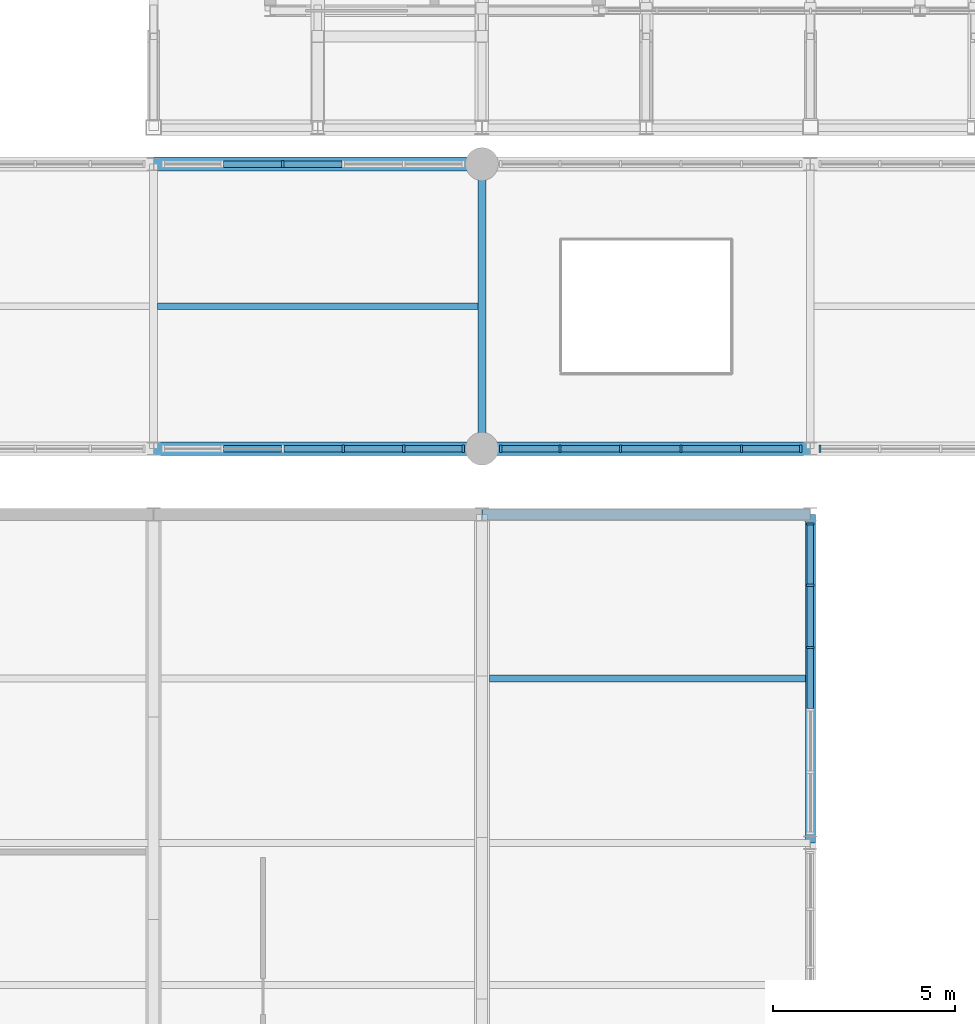
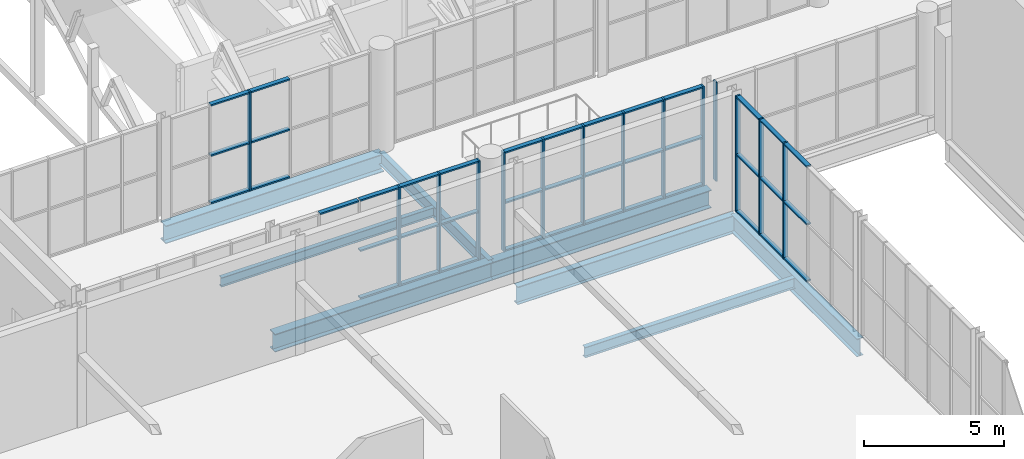
# One storey, part 32 of 134: 54 members, 8 beams, 5 elements without a shape of their own.
"""IFC4 building model written with IfcOpenShell, lengths in metres."""

from ifc_helpers import new_model, si_unit, direction, frame, origin, origin_2d, place, context, subcontext, project, spatial, rectangle, i_section, extrude, material, layer, layer_set, material_profile, profile_set, type_object, element, aggregate, save


model = new_model("IFC4")

# Units and contexts
model_context = context("Model", 3, precision=1e-05, world=origin(), true_north=direction((0.0, 1.0)))
body_context = subcontext(model_context, "Body", "Model", "MODEL_VIEW")
ifc_project = project(units=[si_unit("LENGTHUNIT", "METRE"), si_unit("AREAUNIT", "SQUARE_METRE"), si_unit("VOLUMEUNIT", "CUBIC_METRE"), si_unit("PLANEANGLEUNIT", "RADIAN"), si_unit("MASSUNIT", "GRAM", prefix="KILO")], contexts=[model_context])

# Site, building, storey
site_placement = place(None, origin())
site = spatial("IfcSite", under=ifc_project, at=site_placement, CompositionType="ELEMENT")
building_placement = place(site_placement, origin())
building = spatial("IfcBuilding", under=site, at=building_placement, Name="Cazmaro Siding Exhibition Halls", CompositionType="ELEMENT")
storey_placement = place(building_placement, frame((0.0, 0.0, 12.0)))
storey = spatial("IfcBuildingStorey", under=building, at=storey_placement, Name="L02", CompositionType="ELEMENT", Elevation=12.0)

# Beams
ifc_material_1 = material(Name="Steel ASTM A992 Grade 50", Category="steel")
ifc_material_profile_1 = material_profile(ifc_material_1, i_section(OverallWidth=0.2099609375, OverallDepth=0.535888671875, WebThickness=0.010986328125, FlangeThickness=0.01708984375, at=origin_2d()), Name="W21X68")
ifc_profile_set_1 = profile_set([ifc_material_profile_1], Name="Steel ASTM A992 Grade 50")
beam_type_1 = type_object("IfcBeamType", Name="B-02", PredefinedType="BEAM", material=ifc_profile_set_1)
beam_1_placement = place(storey_placement, frame((54.0, 55.199951171875, -0.488037109375), z_axis=(0.0, 1.0, 0.0), x_axis=(-1.0, 0.0, 0.0)))
element("IfcBeam", 1, at=beam_1_placement, inside=storey, type_object=beam_type_1, Name="Beam B-02 BM-1691", PredefinedType="BEAM", context=body_context, shape_type="SweptSolid", body=[
    extrude(i_section(OverallWidth=0.2099609375, OverallDepth=0.535888671875, WebThickness=0.010986328125, FlangeThickness=0.01708984375, at=origin_2d()), origin(), (0.0, 0.0, 1.0), 7.800048828125),
])
ifc_material_2 = material(Name="Steel ASTM A992 Grade 50", Category="steel")
ifc_material_profile_2 = material_profile(ifc_material_2, i_section(OverallWidth=0.26708984375, OverallDepth=0.779052734375, WebThickness=0.01708984375, FlangeThickness=0.02490234375, at=origin_2d()), Name="W30X148")
ifc_profile_set_2 = profile_set([ifc_material_profile_2], Name="Steel ASTM A992 Grade 50")
beam_type_2 = type_object("IfcBeamType", Name="B-05", PredefinedType="BEAM", material=ifc_profile_set_2)
for number, where, z_axis, x_axis, name in (
    (2, (63.0, 44.39990234375, -0.638916015625), (0.0, 1.0, 0.0), (-1.0, 0.0, 0.0), "Beam B-05 BM-1746"),
    (3, (63.0, 53.39990234375, -0.638916015625), (-1.0, 0.0, 0.0), (0.0, -1.0, 0.0), "Beam B-05 BM-1748"),
):
    element("IfcBeam", number, at=place(storey_placement, frame(where, z_axis=z_axis, x_axis=x_axis)), inside=storey, type_object=beam_type_2, Name=name, PredefinedType="BEAM", context=body_context, shape_type="SweptSolid", body=[
        extrude(i_section(OverallWidth=0.26708984375, OverallDepth=0.779052734375, WebThickness=0.01708984375, FlangeThickness=0.02490234375, at=origin_2d()), origin(), (0.0, 0.0, 1.0), 9.0),
    ])

# Curtain wall, members
ifc_material_3 = material(Name="Anodized Bronze Aluminum and Solar-Control Low-E Glazing", Category="aluminium")
ifc_layer = layer(ifc_material_3, 0.199951171875)
ifc_layer_set = layer_set([ifc_layer], Name="Anodized Bronze Aluminum and Solar-Control Low-E Glazing")
curtain_wall_type = type_object("IfcCurtainWallType", Name="CWS-02", PredefinedType="USERDEFINED", material=ifc_layer_set)
curtain_wall_1_placement = place(storey_placement, origin())
curtain_wall_1 = element("IfcCurtainWall", 4, at=curtain_wall_1_placement, inside=storey, type_object=curtain_wall_type, Name="Glazed Curtain Wall CWS-02 CW-147", ObjectType="GLAZED CURTAIN WALL", PredefinedType="USERDEFINED")
ifc_material_4 = material(Name="Anodized Bronze Extruded Aluminum", Category="aluminium")
ifc_material_profile_3 = material_profile(ifc_material_4, rectangle(XDim=0.199951171875, YDim=0.06494140625, at=origin_2d()), Name="CWM-02")
ifc_profile_set_3 = profile_set([ifc_material_profile_3], Name="Anodized Bronze Extruded Aluminum")
member_type_1 = type_object("IfcMemberType", Name="CWM-02", PredefinedType="MULLION", material=ifc_profile_set_3)
member_1_placement = place(storey_placement, frame((50.2021484375, 55.199951171875, 0.0), z_axis=(0.0, 0.0, 1.0), x_axis=(0.0, 1.0, 0.0)))
member_1 = element("IfcMember", 5, at=member_1_placement, type_object=member_type_1, Name="CWS-02 mullion 4", PredefinedType="MULLION", context=body_context, shape_type="SweptSolid", body=[
    extrude(rectangle(XDim=0.199951171875, YDim=0.06494140625, at=origin_2d()), origin(), (0.0, 0.0, 1.0), 4.324951171875),
])
member_2_placement = place(storey_placement, frame((51.859619140625, 55.199951171875, 0.0), z_axis=(0.0, 0.0, 1.0), x_axis=(0.0, 1.0, 0.0)))
member_2 = element("IfcMember", 6, at=member_2_placement, type_object=member_type_1, Name="CWS-02 mullion 5", PredefinedType="MULLION", context=body_context, shape_type="SweptSolid", body=[
    extrude(rectangle(XDim=0.199951171875, YDim=0.06494140625, at=origin_2d()), origin(), (0.0, 0.0, 1.0), 4.324951171875),
])
member_3_placement = place(storey_placement, frame((53.484619140625, 55.199951171875, 0.0), z_axis=(0.0, 0.0, 1.0), x_axis=(0.0, 1.0, 0.0)))
member_3 = element("IfcMember", 7, at=member_3_placement, type_object=member_type_1, Name="CWS-02 mullion 6", PredefinedType="MULLION", context=body_context, shape_type="SweptSolid", body=[
    extrude(rectangle(XDim=0.199951171875, YDim=0.06494140625, at=origin_2d()), origin(), (0.0, 0.0, 1.0), 4.324951171875),
])

# Curtain wall, member
curtain_wall_2_placement = place(storey_placement, origin())
curtain_wall_2 = element("IfcCurtainWall", 8, at=curtain_wall_2_placement, inside=storey, type_object=curtain_wall_type, Name="Glazed Curtain Wall CWS-02 CW-149", ObjectType="GLAZED CURTAIN WALL", PredefinedType="USERDEFINED")
member_4_placement = place(storey_placement, frame((48.544921875, 63.0, 0.0), z_axis=(0.0, 0.0, 1.0), x_axis=(0.0, -1.0, 0.0)))
member_4 = element("IfcMember", 9, at=member_4_placement, type_object=member_type_1, Name="CWS-02 mullion 4", PredefinedType="MULLION", context=body_context, shape_type="SweptSolid", body=[
    extrude(rectangle(XDim=0.199951171875, YDim=0.06494140625, at=origin_2d()), origin(), (0.0, 0.0, 1.0), 4.324951171875),
])

# Curtain wall, members
curtain_wall_3_placement = place(storey_placement, origin())
curtain_wall_3 = element("IfcCurtainWall", 10, at=curtain_wall_3_placement, inside=storey, type_object=curtain_wall_type, Name="Glazed Curtain Wall CWS-02 CW-152", ObjectType="GLAZED CURTAIN WALL", PredefinedType="USERDEFINED")
member_5_placement = place(storey_placement, frame((54.515380859375, 55.199951171875, 0.0), z_axis=(0.0, 0.0, 1.0), x_axis=(0.0, 1.0, 0.0)))
member_5 = element("IfcMember", 11, at=member_5_placement, type_object=member_type_1, Name="CWS-02 mullion 1", PredefinedType="MULLION", context=body_context, shape_type="SweptSolid", body=[
    extrude(rectangle(XDim=0.199951171875, YDim=0.06494140625, at=origin_2d()), origin(), (0.0, 0.0, 1.0), 4.324951171875),
])
member_6_placement = place(storey_placement, frame((56.140380859375, 55.199951171875, 0.0), z_axis=(0.0, 0.0, 1.0), x_axis=(0.0, 1.0, 0.0)))
member_6 = element("IfcMember", 12, at=member_6_placement, type_object=member_type_1, Name="CWS-02 mullion 2", PredefinedType="MULLION", context=body_context, shape_type="SweptSolid", body=[
    extrude(rectangle(XDim=0.199951171875, YDim=0.06494140625, at=origin_2d()), origin(), (0.0, 0.0, 1.0), 4.324951171875),
])
member_7_placement = place(storey_placement, frame((57.7978515625, 55.199951171875, 0.0), z_axis=(0.0, 0.0, 1.0), x_axis=(0.0, 1.0, 0.0)))
member_7 = element("IfcMember", 13, at=member_7_placement, type_object=member_type_1, Name="CWS-02 mullion 3", PredefinedType="MULLION", context=body_context, shape_type="SweptSolid", body=[
    extrude(rectangle(XDim=0.199951171875, YDim=0.06494140625, at=origin_2d()), origin(), (0.0, 0.0, 1.0), 4.324951171875),
])
member_8_placement = place(storey_placement, frame((59.455078125, 55.199951171875, 0.0), z_axis=(0.0, 0.0, 1.0), x_axis=(0.0, 1.0, 0.0)))
member_8 = element("IfcMember", 14, at=member_8_placement, type_object=member_type_1, Name="CWS-02 mullion 4", PredefinedType="MULLION", context=body_context, shape_type="SweptSolid", body=[
    extrude(rectangle(XDim=0.199951171875, YDim=0.06494140625, at=origin_2d()), origin(), (0.0, 0.0, 1.0), 4.324951171875),
])
member_9_placement = place(storey_placement, frame((61.112548828125, 55.199951171875, 0.0), z_axis=(0.0, 0.0, 1.0), x_axis=(0.0, 1.0, 0.0)))
member_9 = element("IfcMember", 15, at=member_9_placement, type_object=member_type_1, Name="CWS-02 mullion 5", PredefinedType="MULLION", context=body_context, shape_type="SweptSolid", body=[
    extrude(rectangle(XDim=0.199951171875, YDim=0.06494140625, at=origin_2d()), origin(), (0.0, 0.0, 1.0), 4.324951171875),
])
member_10_placement = place(storey_placement, frame((62.737548828125, 55.199951171875, 0.0), z_axis=(0.0, 0.0, 1.0), x_axis=(0.0, 1.0, 0.0)))
member_10 = element("IfcMember", 16, at=member_10_placement, type_object=member_type_1, Name="CWS-02 mullion 6", PredefinedType="MULLION", context=body_context, shape_type="SweptSolid", body=[
    extrude(rectangle(XDim=0.199951171875, YDim=0.06494140625, at=origin_2d()), origin(), (0.0, 0.0, 1.0), 4.324951171875),
])

# Curtain wall, member
curtain_wall_4_placement = place(storey_placement, origin())
curtain_wall_4 = element("IfcCurtainWall", 17, at=curtain_wall_4_placement, inside=storey, type_object=curtain_wall_type, Name="Glazed Curtain Wall CWS-02 CW-158", ObjectType="GLAZED CURTAIN WALL", PredefinedType="USERDEFINED")
member_11_placement = place(storey_placement, frame((63.262451171875, 55.199951171875, 0.0), z_axis=(0.0, 0.0, 1.0), x_axis=(0.0, 1.0, 0.0)))
member_11 = element("IfcMember", 18, at=member_11_placement, type_object=member_type_1, Name="CWS-02 mullion 1", PredefinedType="MULLION", context=body_context, shape_type="SweptSolid", body=[
    extrude(rectangle(XDim=0.199951171875, YDim=0.06494140625, at=origin_2d()), origin(), (0.0, 0.0, 1.0), 4.324951171875),
])
aggregate(curtain_wall_4, [member_11])

# Curtain wall, members
curtain_wall_5_placement = place(storey_placement, origin())
curtain_wall_5 = element("IfcCurtainWall", 19, at=curtain_wall_5_placement, inside=storey, type_object=curtain_wall_type, Name="Glazed Curtain Wall CWS-02 CW-222", ObjectType="GLAZED CURTAIN WALL", PredefinedType="USERDEFINED")
member_12_placement = place(storey_placement, frame((63.0, 49.75390625, 0.0), z_axis=(0.0, 0.0, 1.0), x_axis=(-1.0, 0.0, 0.0)))
member_12 = element("IfcMember", 20, at=member_12_placement, type_object=member_type_1, Name="CWS-02 mullion 4", PredefinedType="MULLION", context=body_context, shape_type="SweptSolid", body=[
    extrude(rectangle(XDim=0.199951171875, YDim=0.06494140625, at=origin_2d()), origin(), (0.0, 0.0, 1.0), 5.050048828125),
])
member_13_placement = place(storey_placement, frame((63.0, 51.46142578125, 0.0), z_axis=(0.0, 0.0, 1.0), x_axis=(-1.0, 0.0, 0.0)))
member_13 = element("IfcMember", 21, at=member_13_placement, type_object=member_type_1, Name="CWS-02 mullion 5", PredefinedType="MULLION", context=body_context, shape_type="SweptSolid", body=[
    extrude(rectangle(XDim=0.199951171875, YDim=0.06494140625, at=origin_2d()), origin(), (0.0, 0.0, 1.0), 5.050048828125),
])
member_14_placement = place(storey_placement, frame((63.0, 53.136474609375, 0.0), z_axis=(0.0, 0.0, 1.0), x_axis=(-1.0, 0.0, 0.0)))
member_14 = element("IfcMember", 22, at=member_14_placement, type_object=member_type_1, Name="CWS-02 mullion 6", PredefinedType="MULLION", context=body_context, shape_type="SweptSolid", body=[
    extrude(rectangle(XDim=0.199951171875, YDim=0.06494140625, at=origin_2d()), origin(), (0.0, 0.0, 1.0), 5.050048828125),
])

# Member
ifc_material_5 = material(Name="Anodized Bronze Extruded Aluminum", Category="aluminium")
ifc_material_profile_4 = material_profile(ifc_material_5, rectangle(XDim=0.179931640625, YDim=0.06494140625, at=origin_2d()), Name="CWT-02")
ifc_profile_set_4 = profile_set([ifc_material_profile_4], Name="Anodized Bronze Extruded Aluminum")
member_type_2 = type_object("IfcMemberType", Name="CWT-02", PredefinedType="MULLION", material=ifc_profile_set_4)
member_15_placement = place(storey_placement, frame((46.919921875, 55.199951171875, 4.29248046875), z_axis=(1.0, 0.0, 0.0), x_axis=(0.0, 1.0, 0.0)))
member_15 = element("IfcMember", 23, at=member_15_placement, type_object=member_type_2, Name="CWS-02 transom 2.3", ObjectType="TRANSOM", PredefinedType="USERDEFINED", context=body_context, shape_type="SweptSolid", body=[
    extrude(rectangle(XDim=0.179931640625, YDim=0.06494140625, at=origin_2d()), origin(), (0.0, 0.0, 1.0), 1.59228515625),
])

member_16_placement = place(storey_placement, frame((48.577392578125, 55.199951171875, 0.032470703125), z_axis=(1.0, 0.0, 0.0), x_axis=(0.0, 1.0, 0.0)))
member_16 = element("IfcMember", 24, at=member_16_placement, type_object=member_type_2, Name="CWS-02 transom 3.1", ObjectType="TRANSOM", PredefinedType="USERDEFINED", context=body_context, shape_type="SweptSolid", body=[
    extrude(rectangle(XDim=0.179931640625, YDim=0.06494140625, at=origin_2d()), origin(), (0.0, 0.0, 1.0), 1.59228515625),
])

member_17_placement = place(storey_placement, frame((48.577392578125, 55.199951171875, 2.10009765625), z_axis=(1.0, 0.0, 0.0), x_axis=(0.0, 1.0, 0.0)))
member_17 = element("IfcMember", 25, at=member_17_placement, type_object=member_type_2, Name="CWS-02 transom 3.2", ObjectType="TRANSOM", PredefinedType="USERDEFINED", context=body_context, shape_type="SweptSolid", body=[
    extrude(rectangle(XDim=0.179931640625, YDim=0.06494140625, at=origin_2d()), origin(), (0.0, 0.0, 1.0), 1.59228515625),
])

member_18_placement = place(storey_placement, frame((48.577392578125, 55.199951171875, 4.29248046875), z_axis=(1.0, 0.0, 0.0), x_axis=(0.0, 1.0, 0.0)))
member_18 = element("IfcMember", 26, at=member_18_placement, type_object=member_type_2, Name="CWS-02 transom 3.3", ObjectType="TRANSOM", PredefinedType="USERDEFINED", context=body_context, shape_type="SweptSolid", body=[
    extrude(rectangle(XDim=0.179931640625, YDim=0.06494140625, at=origin_2d()), origin(), (0.0, 0.0, 1.0), 1.59228515625),
])

member_19_placement = place(storey_placement, frame((50.234619140625, 55.199951171875, 0.032470703125), z_axis=(1.0, 0.0, 0.0), x_axis=(0.0, 1.0, 0.0)))
member_19 = element("IfcMember", 27, at=member_19_placement, type_object=member_type_2, Name="CWS-02 transom 4.1", ObjectType="TRANSOM", PredefinedType="USERDEFINED", context=body_context, shape_type="SweptSolid", body=[
    extrude(rectangle(XDim=0.179931640625, YDim=0.06494140625, at=origin_2d()), origin(), (0.0, 0.0, 1.0), 1.592529296875),
])

member_20_placement = place(storey_placement, frame((50.234619140625, 55.199951171875, 2.10009765625), z_axis=(1.0, 0.0, 0.0), x_axis=(0.0, 1.0, 0.0)))
member_20 = element("IfcMember", 28, at=member_20_placement, type_object=member_type_2, Name="CWS-02 transom 4.2", ObjectType="TRANSOM", PredefinedType="USERDEFINED", context=body_context, shape_type="SweptSolid", body=[
    extrude(rectangle(XDim=0.179931640625, YDim=0.06494140625, at=origin_2d()), origin(), (0.0, 0.0, 1.0), 1.592529296875),
])

member_21_placement = place(storey_placement, frame((50.234619140625, 55.199951171875, 4.29248046875), z_axis=(1.0, 0.0, 0.0), x_axis=(0.0, 1.0, 0.0)))
member_21 = element("IfcMember", 29, at=member_21_placement, type_object=member_type_2, Name="CWS-02 transom 4.3", ObjectType="TRANSOM", PredefinedType="USERDEFINED", context=body_context, shape_type="SweptSolid", body=[
    extrude(rectangle(XDim=0.179931640625, YDim=0.06494140625, at=origin_2d()), origin(), (0.0, 0.0, 1.0), 1.592529296875),
])

member_22_placement = place(storey_placement, frame((51.89208984375, 55.199951171875, 0.032470703125), z_axis=(1.0, 0.0, 0.0), x_axis=(0.0, 1.0, 0.0)))
member_22 = element("IfcMember", 30, at=member_22_placement, type_object=member_type_2, Name="CWS-02 transom 5.1", ObjectType="TRANSOM", PredefinedType="USERDEFINED", context=body_context, shape_type="SweptSolid", body=[
    extrude(rectangle(XDim=0.179931640625, YDim=0.06494140625, at=origin_2d()), origin(), (0.0, 0.0, 1.0), 1.559814453125),
])

member_23_placement = place(storey_placement, frame((51.89208984375, 55.199951171875, 2.10009765625), z_axis=(1.0, 0.0, 0.0), x_axis=(0.0, 1.0, 0.0)))
member_23 = element("IfcMember", 31, at=member_23_placement, type_object=member_type_2, Name="CWS-02 transom 5.2", ObjectType="TRANSOM", PredefinedType="USERDEFINED", context=body_context, shape_type="SweptSolid", body=[
    extrude(rectangle(XDim=0.179931640625, YDim=0.06494140625, at=origin_2d()), origin(), (0.0, 0.0, 1.0), 1.559814453125),
])

member_24_placement = place(storey_placement, frame((51.89208984375, 55.199951171875, 4.29248046875), z_axis=(1.0, 0.0, 0.0), x_axis=(0.0, 1.0, 0.0)))
member_24 = element("IfcMember", 32, at=member_24_placement, type_object=member_type_2, Name="CWS-02 transom 5.3", ObjectType="TRANSOM", PredefinedType="USERDEFINED", context=body_context, shape_type="SweptSolid", body=[
    extrude(rectangle(XDim=0.179931640625, YDim=0.06494140625, at=origin_2d()), origin(), (0.0, 0.0, 1.0), 1.559814453125),
])

aggregate(curtain_wall_1, [member_1, member_2, member_3, member_15, member_16, member_17, member_18, member_19, member_20, member_21, member_22, member_23, member_24])

member_25_placement = place(storey_placement, frame((50.169677734375, 63.0, 0.032470703125), z_axis=(-1.0, 0.0, 0.0), x_axis=(0.0, -1.0, 0.0)))
member_25 = element("IfcMember", 33, at=member_25_placement, type_object=member_type_2, Name="CWS-02 transom 3.1", ObjectType="TRANSOM", PredefinedType="USERDEFINED", context=body_context, shape_type="SweptSolid", body=[
    extrude(rectangle(XDim=0.179931640625, YDim=0.06494140625, at=origin_2d()), origin(), (0.0, 0.0, 1.0), 1.59228515625),
])

member_26_placement = place(storey_placement, frame((50.169677734375, 63.0, 2.10009765625), z_axis=(-1.0, 0.0, 0.0), x_axis=(0.0, -1.0, 0.0)))
member_26 = element("IfcMember", 34, at=member_26_placement, type_object=member_type_2, Name="CWS-02 transom 3.2", ObjectType="TRANSOM", PredefinedType="USERDEFINED", context=body_context, shape_type="SweptSolid", body=[
    extrude(rectangle(XDim=0.179931640625, YDim=0.06494140625, at=origin_2d()), origin(), (0.0, 0.0, 1.0), 1.59228515625),
])

member_27_placement = place(storey_placement, frame((50.169677734375, 63.0, 4.29248046875), z_axis=(-1.0, 0.0, 0.0), x_axis=(0.0, -1.0, 0.0)))
member_27 = element("IfcMember", 35, at=member_27_placement, type_object=member_type_2, Name="CWS-02 transom 3.3", ObjectType="TRANSOM", PredefinedType="USERDEFINED", context=body_context, shape_type="SweptSolid", body=[
    extrude(rectangle(XDim=0.179931640625, YDim=0.06494140625, at=origin_2d()), origin(), (0.0, 0.0, 1.0), 1.59228515625),
])

member_28_placement = place(storey_placement, frame((48.51220703125, 63.0, 0.032470703125), z_axis=(-1.0, 0.0, 0.0), x_axis=(0.0, -1.0, 0.0)))
member_28 = element("IfcMember", 36, at=member_28_placement, type_object=member_type_2, Name="CWS-02 transom 4.1", ObjectType="TRANSOM", PredefinedType="USERDEFINED", context=body_context, shape_type="SweptSolid", body=[
    extrude(rectangle(XDim=0.179931640625, YDim=0.06494140625, at=origin_2d()), origin(), (0.0, 0.0, 1.0), 1.59228515625),
])

member_29_placement = place(storey_placement, frame((48.51220703125, 63.0, 2.10009765625), z_axis=(-1.0, 0.0, 0.0), x_axis=(0.0, -1.0, 0.0)))
member_29 = element("IfcMember", 37, at=member_29_placement, type_object=member_type_2, Name="CWS-02 transom 4.2", ObjectType="TRANSOM", PredefinedType="USERDEFINED", context=body_context, shape_type="SweptSolid", body=[
    extrude(rectangle(XDim=0.179931640625, YDim=0.06494140625, at=origin_2d()), origin(), (0.0, 0.0, 1.0), 1.59228515625),
])

member_30_placement = place(storey_placement, frame((48.51220703125, 63.0, 4.29248046875), z_axis=(-1.0, 0.0, 0.0), x_axis=(0.0, -1.0, 0.0)))
member_30 = element("IfcMember", 38, at=member_30_placement, type_object=member_type_2, Name="CWS-02 transom 4.3", ObjectType="TRANSOM", PredefinedType="USERDEFINED", context=body_context, shape_type="SweptSolid", body=[
    extrude(rectangle(XDim=0.179931640625, YDim=0.06494140625, at=origin_2d()), origin(), (0.0, 0.0, 1.0), 1.59228515625),
])

aggregate(curtain_wall_2, [member_4, member_25, member_26, member_27, member_28, member_29, member_30])

member_31_placement = place(storey_placement, frame((54.548095703125, 55.199951171875, 0.032470703125), z_axis=(1.0, 0.0, 0.0), x_axis=(0.0, 1.0, 0.0)))
member_31 = element("IfcMember", 39, at=member_31_placement, type_object=member_type_2, Name="CWS-02 transom 1.1", ObjectType="TRANSOM", PredefinedType="USERDEFINED", context=body_context, shape_type="SweptSolid", body=[
    extrude(rectangle(XDim=0.179931640625, YDim=0.06494140625, at=origin_2d()), origin(), (0.0, 0.0, 1.0), 1.559814453125),
])

member_32_placement = place(storey_placement, frame((54.548095703125, 55.199951171875, 2.10009765625), z_axis=(1.0, 0.0, 0.0), x_axis=(0.0, 1.0, 0.0)))
member_32 = element("IfcMember", 40, at=member_32_placement, type_object=member_type_2, Name="CWS-02 transom 1.2", ObjectType="TRANSOM", PredefinedType="USERDEFINED", context=body_context, shape_type="SweptSolid", body=[
    extrude(rectangle(XDim=0.179931640625, YDim=0.06494140625, at=origin_2d()), origin(), (0.0, 0.0, 1.0), 1.559814453125),
])

member_33_placement = place(storey_placement, frame((54.548095703125, 55.199951171875, 4.29248046875), z_axis=(1.0, 0.0, 0.0), x_axis=(0.0, 1.0, 0.0)))
member_33 = element("IfcMember", 41, at=member_33_placement, type_object=member_type_2, Name="CWS-02 transom 1.3", ObjectType="TRANSOM", PredefinedType="USERDEFINED", context=body_context, shape_type="SweptSolid", body=[
    extrude(rectangle(XDim=0.179931640625, YDim=0.06494140625, at=origin_2d()), origin(), (0.0, 0.0, 1.0), 1.559814453125),
])

member_34_placement = place(storey_placement, frame((56.1728515625, 55.199951171875, 0.032470703125), z_axis=(1.0, 0.0, 0.0), x_axis=(0.0, 1.0, 0.0)))
member_34 = element("IfcMember", 42, at=member_34_placement, type_object=member_type_2, Name="CWS-02 transom 2.1", ObjectType="TRANSOM", PredefinedType="USERDEFINED", context=body_context, shape_type="SweptSolid", body=[
    extrude(rectangle(XDim=0.179931640625, YDim=0.06494140625, at=origin_2d()), origin(), (0.0, 0.0, 1.0), 1.592529296875),
])

member_35_placement = place(storey_placement, frame((56.1728515625, 55.199951171875, 2.10009765625), z_axis=(1.0, 0.0, 0.0), x_axis=(0.0, 1.0, 0.0)))
member_35 = element("IfcMember", 43, at=member_35_placement, type_object=member_type_2, Name="CWS-02 transom 2.2", ObjectType="TRANSOM", PredefinedType="USERDEFINED", context=body_context, shape_type="SweptSolid", body=[
    extrude(rectangle(XDim=0.179931640625, YDim=0.06494140625, at=origin_2d()), origin(), (0.0, 0.0, 1.0), 1.592529296875),
])

member_36_placement = place(storey_placement, frame((56.1728515625, 55.199951171875, 4.29248046875), z_axis=(1.0, 0.0, 0.0), x_axis=(0.0, 1.0, 0.0)))
member_36 = element("IfcMember", 44, at=member_36_placement, type_object=member_type_2, Name="CWS-02 transom 2.3", ObjectType="TRANSOM", PredefinedType="USERDEFINED", context=body_context, shape_type="SweptSolid", body=[
    extrude(rectangle(XDim=0.179931640625, YDim=0.06494140625, at=origin_2d()), origin(), (0.0, 0.0, 1.0), 1.592529296875),
])

member_37_placement = place(storey_placement, frame((57.830322265625, 55.199951171875, 0.032470703125), z_axis=(1.0, 0.0, 0.0), x_axis=(0.0, 1.0, 0.0)))
member_37 = element("IfcMember", 45, at=member_37_placement, type_object=member_type_2, Name="CWS-02 transom 3.1", ObjectType="TRANSOM", PredefinedType="USERDEFINED", context=body_context, shape_type="SweptSolid", body=[
    extrude(rectangle(XDim=0.179931640625, YDim=0.06494140625, at=origin_2d()), origin(), (0.0, 0.0, 1.0), 1.59228515625),
])

member_38_placement = place(storey_placement, frame((57.830322265625, 55.199951171875, 2.10009765625), z_axis=(1.0, 0.0, 0.0), x_axis=(0.0, 1.0, 0.0)))
member_38 = element("IfcMember", 46, at=member_38_placement, type_object=member_type_2, Name="CWS-02 transom 3.2", ObjectType="TRANSOM", PredefinedType="USERDEFINED", context=body_context, shape_type="SweptSolid", body=[
    extrude(rectangle(XDim=0.179931640625, YDim=0.06494140625, at=origin_2d()), origin(), (0.0, 0.0, 1.0), 1.59228515625),
])

member_39_placement = place(storey_placement, frame((57.830322265625, 55.199951171875, 4.29248046875), z_axis=(1.0, 0.0, 0.0), x_axis=(0.0, 1.0, 0.0)))
member_39 = element("IfcMember", 47, at=member_39_placement, type_object=member_type_2, Name="CWS-02 transom 3.3", ObjectType="TRANSOM", PredefinedType="USERDEFINED", context=body_context, shape_type="SweptSolid", body=[
    extrude(rectangle(XDim=0.179931640625, YDim=0.06494140625, at=origin_2d()), origin(), (0.0, 0.0, 1.0), 1.59228515625),
])

member_40_placement = place(storey_placement, frame((59.48779296875, 55.199951171875, 0.032470703125), z_axis=(1.0, 0.0, 0.0), x_axis=(0.0, 1.0, 0.0)))
member_40 = element("IfcMember", 48, at=member_40_placement, type_object=member_type_2, Name="CWS-02 transom 4.1", ObjectType="TRANSOM", PredefinedType="USERDEFINED", context=body_context, shape_type="SweptSolid", body=[
    extrude(rectangle(XDim=0.179931640625, YDim=0.06494140625, at=origin_2d()), origin(), (0.0, 0.0, 1.0), 1.59228515625),
])

member_41_placement = place(storey_placement, frame((59.48779296875, 55.199951171875, 2.10009765625), z_axis=(1.0, 0.0, 0.0), x_axis=(0.0, 1.0, 0.0)))
member_41 = element("IfcMember", 49, at=member_41_placement, type_object=member_type_2, Name="CWS-02 transom 4.2", ObjectType="TRANSOM", PredefinedType="USERDEFINED", context=body_context, shape_type="SweptSolid", body=[
    extrude(rectangle(XDim=0.179931640625, YDim=0.06494140625, at=origin_2d()), origin(), (0.0, 0.0, 1.0), 1.59228515625),
])

member_42_placement = place(storey_placement, frame((59.48779296875, 55.199951171875, 4.29248046875), z_axis=(1.0, 0.0, 0.0), x_axis=(0.0, 1.0, 0.0)))
member_42 = element("IfcMember", 50, at=member_42_placement, type_object=member_type_2, Name="CWS-02 transom 4.3", ObjectType="TRANSOM", PredefinedType="USERDEFINED", context=body_context, shape_type="SweptSolid", body=[
    extrude(rectangle(XDim=0.179931640625, YDim=0.06494140625, at=origin_2d()), origin(), (0.0, 0.0, 1.0), 1.59228515625),
])

member_43_placement = place(storey_placement, frame((61.14501953125, 55.199951171875, 0.032470703125), z_axis=(1.0, 0.0, 0.0), x_axis=(0.0, 1.0, 0.0)))
member_43 = element("IfcMember", 51, at=member_43_placement, type_object=member_type_2, Name="CWS-02 transom 5.1", ObjectType="TRANSOM", PredefinedType="USERDEFINED", context=body_context, shape_type="SweptSolid", body=[
    extrude(rectangle(XDim=0.179931640625, YDim=0.06494140625, at=origin_2d()), origin(), (0.0, 0.0, 1.0), 1.56005859375),
])

member_44_placement = place(storey_placement, frame((61.14501953125, 55.199951171875, 2.10009765625), z_axis=(1.0, 0.0, 0.0), x_axis=(0.0, 1.0, 0.0)))
member_44 = element("IfcMember", 52, at=member_44_placement, type_object=member_type_2, Name="CWS-02 transom 5.2", ObjectType="TRANSOM", PredefinedType="USERDEFINED", context=body_context, shape_type="SweptSolid", body=[
    extrude(rectangle(XDim=0.179931640625, YDim=0.06494140625, at=origin_2d()), origin(), (0.0, 0.0, 1.0), 1.56005859375),
])

member_45_placement = place(storey_placement, frame((61.14501953125, 55.199951171875, 4.29248046875), z_axis=(1.0, 0.0, 0.0), x_axis=(0.0, 1.0, 0.0)))
member_45 = element("IfcMember", 53, at=member_45_placement, type_object=member_type_2, Name="CWS-02 transom 5.3", ObjectType="TRANSOM", PredefinedType="USERDEFINED", context=body_context, shape_type="SweptSolid", body=[
    extrude(rectangle(XDim=0.179931640625, YDim=0.06494140625, at=origin_2d()), origin(), (0.0, 0.0, 1.0), 1.56005859375),
])

aggregate(curtain_wall_3, [member_5, member_6, member_7, member_8, member_9, member_10, member_31, member_32, member_33, member_34, member_35, member_36, member_37, member_38, member_39, member_40, member_41, member_42, member_43, member_44, member_45])

member_46_placement = place(storey_placement, frame((63.0, 48.07861328125, 0.032470703125), z_axis=(0.0, 1.0, 0.0), x_axis=(-1.0, 0.0, 0.0)))
member_46 = element("IfcMember", 54, at=member_46_placement, type_object=member_type_2, Name="CWS-02 transom 3.1", ObjectType="TRANSOM", PredefinedType="USERDEFINED", context=body_context, shape_type="SweptSolid", body=[
    extrude(rectangle(XDim=0.179931640625, YDim=0.06494140625, at=origin_2d()), origin(), (0.0, 0.0, 1.0), 1.642578125),
])

member_47_placement = place(storey_placement, frame((63.0, 48.07861328125, 2.5), z_axis=(0.0, 1.0, 0.0), x_axis=(-1.0, 0.0, 0.0)))
member_47 = element("IfcMember", 55, at=member_47_placement, type_object=member_type_2, Name="CWS-02 transom 3.2", ObjectType="TRANSOM", PredefinedType="USERDEFINED", context=body_context, shape_type="SweptSolid", body=[
    extrude(rectangle(XDim=0.179931640625, YDim=0.06494140625, at=origin_2d()), origin(), (0.0, 0.0, 1.0), 1.642578125),
])

member_48_placement = place(storey_placement, frame((63.0, 48.07861328125, 5.017578125), z_axis=(0.0, 1.0, 0.0), x_axis=(-1.0, 0.0, 0.0)))
member_48 = element("IfcMember", 56, at=member_48_placement, type_object=member_type_2, Name="CWS-02 transom 3.3", ObjectType="TRANSOM", PredefinedType="USERDEFINED", context=body_context, shape_type="SweptSolid", body=[
    extrude(rectangle(XDim=0.179931640625, YDim=0.06494140625, at=origin_2d()), origin(), (0.0, 0.0, 1.0), 1.642578125),
])

member_49_placement = place(storey_placement, frame((63.0, 49.786376953125, 0.032470703125), z_axis=(0.0, 1.0, 0.0), x_axis=(-1.0, 0.0, 0.0)))
member_49 = element("IfcMember", 57, at=member_49_placement, type_object=member_type_2, Name="CWS-02 transom 4.1", ObjectType="TRANSOM", PredefinedType="USERDEFINED", context=body_context, shape_type="SweptSolid", body=[
    extrude(rectangle(XDim=0.179931640625, YDim=0.06494140625, at=origin_2d()), origin(), (0.0, 0.0, 1.0), 1.642578125),
])

member_50_placement = place(storey_placement, frame((63.0, 49.786376953125, 2.5), z_axis=(0.0, 1.0, 0.0), x_axis=(-1.0, 0.0, 0.0)))
member_50 = element("IfcMember", 58, at=member_50_placement, type_object=member_type_2, Name="CWS-02 transom 4.2", ObjectType="TRANSOM", PredefinedType="USERDEFINED", context=body_context, shape_type="SweptSolid", body=[
    extrude(rectangle(XDim=0.179931640625, YDim=0.06494140625, at=origin_2d()), origin(), (0.0, 0.0, 1.0), 1.642578125),
])

member_51_placement = place(storey_placement, frame((63.0, 49.786376953125, 5.017578125), z_axis=(0.0, 1.0, 0.0), x_axis=(-1.0, 0.0, 0.0)))
member_51 = element("IfcMember", 59, at=member_51_placement, type_object=member_type_2, Name="CWS-02 transom 4.3", ObjectType="TRANSOM", PredefinedType="USERDEFINED", context=body_context, shape_type="SweptSolid", body=[
    extrude(rectangle(XDim=0.179931640625, YDim=0.06494140625, at=origin_2d()), origin(), (0.0, 0.0, 1.0), 1.642578125),
])

member_52_placement = place(storey_placement, frame((63.0, 51.493896484375, 0.032470703125), z_axis=(0.0, 1.0, 0.0), x_axis=(-1.0, 0.0, 0.0)))
member_52 = element("IfcMember", 60, at=member_52_placement, type_object=member_type_2, Name="CWS-02 transom 5.1", ObjectType="TRANSOM", PredefinedType="USERDEFINED", context=body_context, shape_type="SweptSolid", body=[
    extrude(rectangle(XDim=0.179931640625, YDim=0.06494140625, at=origin_2d()), origin(), (0.0, 0.0, 1.0), 1.610107421875),
])

member_53_placement = place(storey_placement, frame((63.0, 51.493896484375, 2.5), z_axis=(0.0, 1.0, 0.0), x_axis=(-1.0, 0.0, 0.0)))
member_53 = element("IfcMember", 61, at=member_53_placement, type_object=member_type_2, Name="CWS-02 transom 5.2", ObjectType="TRANSOM", PredefinedType="USERDEFINED", context=body_context, shape_type="SweptSolid", body=[
    extrude(rectangle(XDim=0.179931640625, YDim=0.06494140625, at=origin_2d()), origin(), (0.0, 0.0, 1.0), 1.610107421875),
])

member_54_placement = place(storey_placement, frame((63.0, 51.493896484375, 5.017578125), z_axis=(0.0, 1.0, 0.0), x_axis=(-1.0, 0.0, 0.0)))
member_54 = element("IfcMember", 62, at=member_54_placement, type_object=member_type_2, Name="CWS-02 transom 5.3", ObjectType="TRANSOM", PredefinedType="USERDEFINED", context=body_context, shape_type="SweptSolid", body=[
    extrude(rectangle(XDim=0.179931640625, YDim=0.06494140625, at=origin_2d()), origin(), (0.0, 0.0, 1.0), 1.610107421875),
])

aggregate(curtain_wall_5, [member_12, member_13, member_14, member_46, member_47, member_48, member_49, member_50, member_51, member_52, member_53, member_54])

# Beams
ifc_material_6 = material(Name="Steel ASTM A992 Grade 50", Category="steel")
ifc_material_profile_5 = material_profile(ifc_material_6, i_section(OverallWidth=0.381103515625, OverallDepth=0.779052734375, WebThickness=0.01806640625, FlangeThickness=0.030029296875, at=origin_2d()), Name="W30X191")
ifc_profile_set_5 = profile_set([ifc_material_profile_5], Name="Steel ASTM A992 Grade 50")
beam_type_3 = type_object("IfcBeamType", Name="G-04", PredefinedType="USERDEFINED", material=ifc_profile_set_5)
for number, where, z_axis, x_axis, name in (
    (63, (45.0, 55.199951171875, -0.610107421875), (1.0, 0.0, 0.0), (0.0, 1.0, 0.0), "Beam G-04 BM-1579"),
    (64, (45.0, 63.0, -0.610107421875), (1.0, 0.0, 0.0), (0.0, 1.0, 0.0), "Beam G-04 BM-1580"),
    (65, (54.0, 55.199951171875, -0.610107421875), (1.0, 0.0, 0.0), (0.0, 1.0, 0.0), "Beam G-04 BM-1587"),
):
    element("IfcBeam", number, at=place(storey_placement, frame(where, z_axis=z_axis, x_axis=x_axis)), inside=storey, type_object=beam_type_3, Name=name, ObjectType="GIRDER", PredefinedType="USERDEFINED", context=body_context, shape_type="SweptSolid", body=[
        extrude(i_section(OverallWidth=0.381103515625, OverallDepth=0.779052734375, WebThickness=0.01806640625, FlangeThickness=0.030029296875, at=origin_2d()), origin(), (0.0, 0.0, 1.0), 9.0),
    ])
ifc_material_7 = material(Name="Steel ASTM A992 Grade 50", Category="steel")
ifc_material_profile_6 = material_profile(ifc_material_7, i_section(OverallWidth=0.19091796875, OverallDepth=0.45703125, WebThickness=0.009033203125, FlangeThickness=0.013916015625, at=origin_2d()), Name="W18X50")
ifc_profile_set_6 = profile_set([ifc_material_profile_6], Name="Steel ASTM A992 Grade 50")
beam_type_4 = type_object("IfcBeamType", Name="J-01", PredefinedType="JOIST", material=ifc_profile_set_6)
beam_2_placement = place(storey_placement, frame((54.201904296875, 48.89990234375, -0.47900390625), z_axis=(1.0, 0.0, 0.0), x_axis=(0.0, 1.0, 0.0)))
element("IfcBeam", 66, at=beam_2_placement, inside=storey, type_object=beam_type_4, Name="Beam J-01 BM-1876", PredefinedType="JOIST", context=body_context, shape_type="SweptSolid", body=[
    extrude(i_section(OverallWidth=0.19091796875, OverallDepth=0.45703125, WebThickness=0.009033203125, FlangeThickness=0.013916015625, at=origin_2d()), origin(), (0.0, 0.0, 1.0), 8.6640625),
])
ifc_material_8 = material(Name="Steel ASTM A992 Grade 50", Category="steel")
ifc_material_profile_7 = material_profile(ifc_material_8, i_section(OverallWidth=0.177978515625, OverallDepth=0.406005859375, WebThickness=0.008056640625, FlangeThickness=0.012939453125, at=origin_2d()), Name="W16X40")
ifc_profile_set_7 = profile_set([ifc_material_profile_7], Name="Steel ASTM A992 Grade 50")
beam_type_5 = type_object("IfcBeamType", Name="J-02", PredefinedType="JOIST", material=ifc_profile_set_7)
beam_3_placement = place(storey_placement, frame((45.10498046875, 59.10009765625, -0.423095703125), z_axis=(1.0, 0.0, 0.0), x_axis=(0.0, 1.0, 0.0)))
element("IfcBeam", 67, at=beam_3_placement, inside=storey, type_object=beam_type_5, Name="Beam J-02 BM-1581", PredefinedType="JOIST", context=body_context, shape_type="SweptSolid", body=[
    extrude(i_section(OverallWidth=0.177978515625, OverallDepth=0.406005859375, WebThickness=0.008056640625, FlangeThickness=0.012939453125, at=origin_2d()), origin(), (0.0, 0.0, 1.0), 8.7900390625),
])

save(model, "model.ifc")
